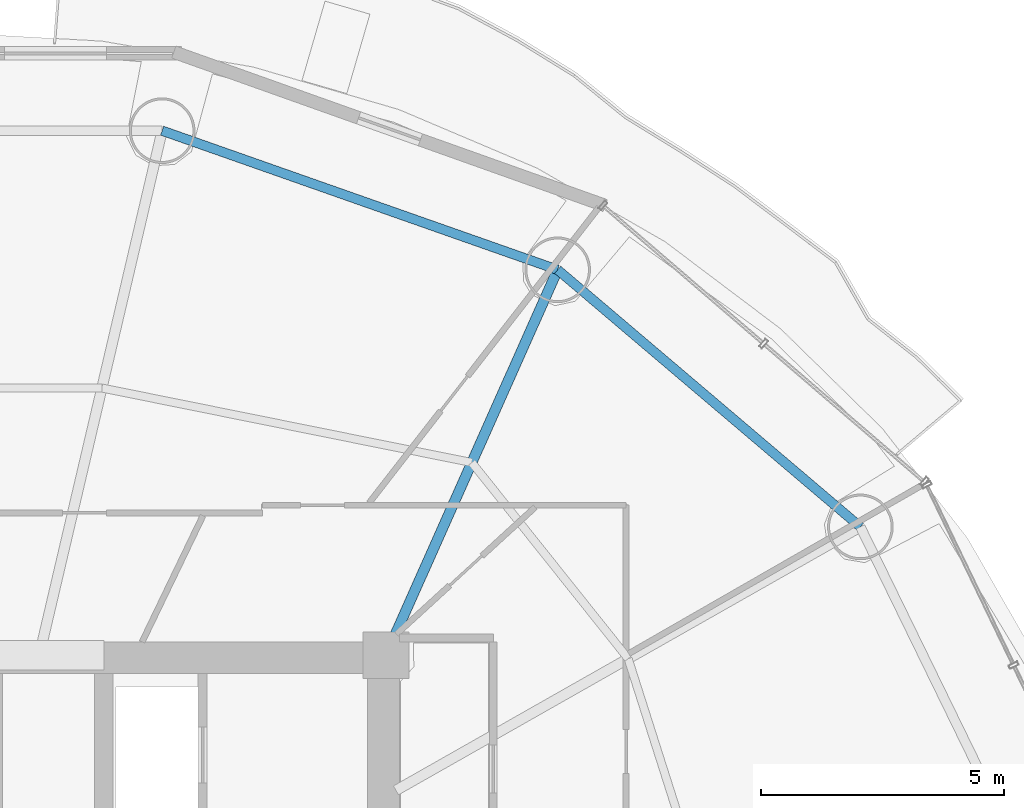
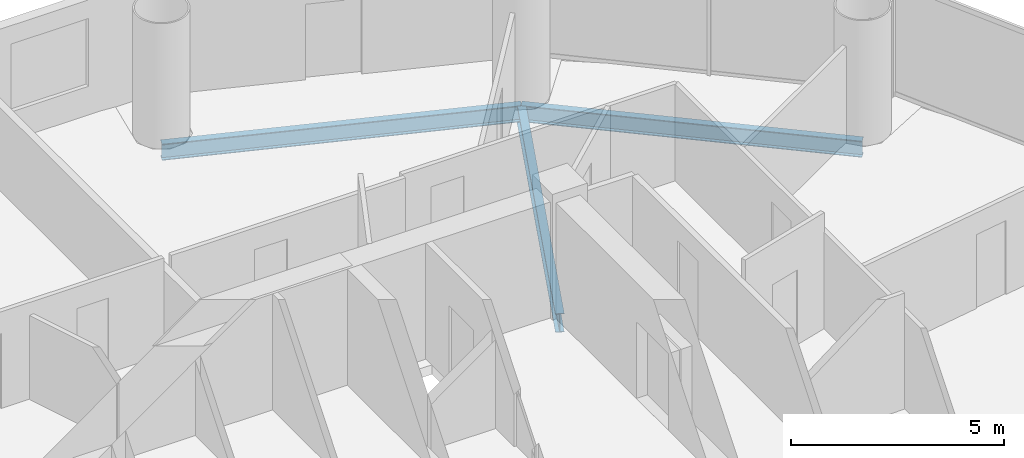
# One storey, part 18 of 27: 3 beams.
"""IFC4 building model written with IfcOpenShell, lengths in metres."""

import ifcopenshell
import ifcopenshell.guid

model = None  # the IFC model being written
_history = None  # IfcOwnerHistory: only IFC2X3 demands one
_inside = {}  # id of a spatial element -> (the spatial element, [elements in it])
_under = {}  # id of a project, library or spatial element -> (it, [spatial elements below it])
_declared = {}  # id of a project -> (the project, [libraries it declares])
_typed = {}  # id of a type object -> (the type object, [elements of that type])
_made_of = {}  # id of a material, layer set ... -> (it, [elements and type objects made of it])


def new_model(schema):
    """Start an empty IFC model of exactly this schema.

    Asked for "IFC4X3", IfcOpenShell would pick the latest addendum, in which some entities
    have other attributes; the version numbers below select the first issue.
    IFC2X3 requires an IfcOwnerHistory on every rooted entity: one is made here for all.
    """
    global model, _history
    if schema == "IFC4X3":
        model = ifcopenshell.file(schema_version=(4, 3, 0, 0))
    else:
        model = ifcopenshell.file(schema=schema)
    _inside.clear()
    _under.clear()
    _declared.clear()
    _typed.clear()
    _made_of.clear()
    _history = None
    if model.schema == "IFC2X3":
        org = make("IfcOrganization", Name="unknown")
        user = make(
            "IfcPersonAndOrganization",
            ThePerson=make("IfcPerson", FamilyName="unknown"),
            TheOrganization=org,
        )
        app = make(
            "IfcApplication",
            ApplicationDeveloper=org,
            Version="unknown",
            ApplicationFullName="unknown",
            ApplicationIdentifier="unknown",
        )
        _history = make(
            "IfcOwnerHistory",
            OwningUser=user,
            OwningApplication=app,
            ChangeAction="ADDED",
            CreationDate=0,
        )
    return model


def make(cls, **values):
    """One entity of the class cls with the attributes given. An attribute that is None is left unset."""
    return model.create_entity(
        cls, **{name: value for name, value in values.items() if value is not None}
    )


def rooted(cls, **values):
    """An entity with a GlobalId (a new one), such as an element, a storey or a relation."""
    return make(cls, GlobalId=ifcopenshell.guid.new(), OwnerHistory=_history, **values)


def si_unit(unit_type, name, prefix=None):
    """IfcSIUnit, for example si_unit("LENGTHUNIT", "METRE", prefix="MILLI")."""
    return make("IfcSIUnit", UnitType=unit_type, Prefix=prefix, Name=name)


def assignment(units):
    """IfcUnitAssignment: the units of a project."""
    return None if units is None else make("IfcUnitAssignment", Units=units)


def point(xyz):
    """IfcCartesianPoint."""
    return None if xyz is None else make("IfcCartesianPoint", Coordinates=xyz)


def direction(xyz):
    """IfcDirection."""
    return None if xyz is None else make("IfcDirection", DirectionRatios=xyz)


def frame(location, z_axis=None, x_axis=None):
    """IfcAxis2Placement3D, a coordinate frame: its origin and axes. An axis left out is left unset."""
    return make(
        "IfcAxis2Placement3D",
        Location=point(location),
        Axis=direction(z_axis),
        RefDirection=direction(x_axis),
    )


def frame_2d(location, x_axis=None):
    """IfcAxis2Placement2D, a coordinate frame in the plane: its origin and x axis."""
    return make(
        "IfcAxis2Placement2D", Location=point(location), RefDirection=direction(x_axis)
    )


def origin():
    """The frame at (0, 0, 0) with its axes left unset."""
    return frame((0.0, 0.0, 0.0))


def origin_2d():
    """The frame at (0, 0) in the plane with its x axis left unset."""
    return frame_2d((0.0, 0.0))


def place(relative_to, where):
    """IfcLocalPlacement: puts the frame where relative to a parent placement (None: the world)."""
    return make(
        "IfcLocalPlacement", PlacementRelTo=relative_to, RelativePlacement=where
    )


def context(
    kind, dimensions, precision=None, world=None, true_north=None, identifier=None
):
    """IfcGeometricRepresentationContext, for example the 3D "Model" context."""
    return make(
        "IfcGeometricRepresentationContext",
        ContextIdentifier=identifier,
        ContextType=kind,
        CoordinateSpaceDimension=dimensions,
        Precision=precision,
        WorldCoordinateSystem=world,
        TrueNorth=true_north,
    )


def subcontext(parent, identifier, kind, view, scale=None):
    """IfcGeometricRepresentationSubContext, for example "Body" below "Model"."""
    return make(
        "IfcGeometricRepresentationSubContext",
        ContextIdentifier=identifier,
        ContextType=kind,
        ParentContext=parent,
        TargetScale=scale,
        TargetView=view,
    )


def project(units=None, contexts=None):
    """IfcProject with its units and contexts."""
    return rooted(
        "IfcProject",
        Name="project",
        RepresentationContexts=contexts,
        UnitsInContext=assignment(units),
    )


def spatial(cls, under=None, at=None, **own):
    """A site, building, storey or space (cls), placed at a placement, below another one or the project."""
    s = rooted(cls, ObjectPlacement=at, **own)
    if under is not None:
        _under.setdefault(under.id(), (under, []))[1].append(s)
    return s


def profile(cls, at=None, kind="AREA", **sizes):
    """A parametric profile (cls). Its sizes go by their IFC names, for example OverallWidth=200.0."""
    return make(cls, ProfileType=kind, Position=at, **sizes)


def i_section(**sizes):
    """IfcIShapeProfileDef."""
    return profile("IfcIShapeProfileDef", **sizes)


def extrude(swept, where, along, depth):
    """IfcExtrudedAreaSolid: the profile swept, set in the frame where, extruded along a direction by depth."""
    return make(
        "IfcExtrudedAreaSolid",
        SweptArea=swept,
        Position=where,
        ExtrudedDirection=direction(along),
        Depth=depth,
    )


def shape(context_of_items, identifier, shape_type, items):
    """IfcShapeRepresentation: the items that make up one representation, for example the "Body"."""
    return make(
        "IfcShapeRepresentation",
        ContextOfItems=context_of_items,
        RepresentationIdentifier=identifier,
        RepresentationType=shape_type,
        Items=items,
    )


def material(Name=None, Category=None):
    """IfcMaterial."""
    return make("IfcMaterial", Name=Name, Category=Category)


def material_profile(
    of_material, cross_section, Name=None, Category=None, Priority=None
):
    """IfcMaterialProfile: a cross section and its material."""
    return make(
        "IfcMaterialProfile",
        Name=Name,
        Material=of_material,
        Profile=cross_section,
        Priority=Priority,
        Category=Category,
    )


def profile_set(profiles, Name=None, composite=None):
    """IfcMaterialProfileSet."""
    return make(
        "IfcMaterialProfileSet",
        Name=Name,
        MaterialProfiles=profiles,
        CompositeProfile=composite,
    )


def made_of(thing, what):
    """Note that an element or type object is made of a material, layer set ...; save() writes the relation."""
    if what is not None:
        _made_of.setdefault(what.id(), (what, []))[1].append(thing)
    return thing


def type_object(cls, material=None, **own):
    """A type object (cls), such as IfcWallType, which elements share."""
    return made_of(rooted(cls, **own), material)


def element(
    cls,
    number,
    at=None,
    inside=None,
    cuts=None,
    type_object=None,
    material=None,
    context=None,
    identifier="Body",
    shape_type=None,
    held_by="IfcProductDefinitionShape",
    body=None,
    shapes=None,
    **own,
):
    """One element of the class cls, such as IfcWall. Its Tag is "e" and its number.

    at: its placement. inside: the storey or other place that contains it. cuts: it is an
    opening in that element (IfcRelVoidsElement). A single representation is given by context,
    identifier, shape_type and body (its items); several are given by shapes. held_by: the class
    of the entity that holds the representations. save() writes the other relations.
    """
    e = rooted(cls, Tag="e%d" % number, ObjectPlacement=at, **own)
    if body is not None:
        shapes = [shape(context, identifier, shape_type, body)]
    if shapes is not None:
        e.Representation = make(held_by, Representations=shapes)
    if inside is not None:
        _inside.setdefault(inside.id(), (inside, []))[1].append(e)
    if cuts is not None:
        rooted(
            "IfcRelVoidsElement", RelatingBuildingElement=cuts, RelatedOpeningElement=e
        )
    if type_object is not None:
        _typed.setdefault(type_object.id(), (type_object, []))[1].append(e)
    return made_of(e, material)


def aggregate(whole, parts):
    """IfcRelAggregates: a whole, such as a stair, and the parts it consists of."""
    return rooted("IfcRelAggregates", RelatingObject=whole, RelatedObjects=parts)


def save(model, path):
    """Write the relations noted so far, then the file.

    IfcRelAggregates (storeys below a building ...), IfcRelContainedInSpatialStructure (elements
    in a storey), IfcRelDefinesByType, IfcRelAssociatesMaterial and IfcRelDeclares: one each for
    every whole, place, type object, material and project.
    """
    for whole, parts in _under.values():
        aggregate(whole, parts)
    for where, things in _inside.values():
        rooted(
            "IfcRelContainedInSpatialStructure",
            RelatedElements=things,
            RelatingStructure=where,
        )
    for kind, things in _typed.values():
        rooted("IfcRelDefinesByType", RelatedObjects=things, RelatingType=kind)
    for what, things in _made_of.values():
        rooted("IfcRelAssociatesMaterial", RelatedObjects=things, RelatingMaterial=what)
    for by, libraries in _declared.values():
        rooted("IfcRelDeclares", RelatingContext=by, RelatedDefinitions=libraries)
    model.write(path)


model = new_model("IFC4")

# Units and contexts
model_context = context("Model", 3, precision=1e-05, world=origin(), true_north=direction((-0.2419218956, 0.970295726276)))
body_context = subcontext(model_context, "Body", "Model", "MODEL_VIEW")
ifc_project = project(units=[si_unit("LENGTHUNIT", "METRE"), si_unit("AREAUNIT", "SQUARE_METRE"), si_unit("VOLUMEUNIT", "CUBIC_METRE"), si_unit("PLANEANGLEUNIT", "RADIAN"), si_unit("MASSUNIT", "GRAM", prefix="KILO")], contexts=[model_context])

# Site, building, storey
site_placement = place(None, origin())
site = spatial("IfcSite", under=ifc_project, at=site_placement, CompositionType="ELEMENT")
building_placement = place(site_placement, origin())
building = spatial("IfcBuilding", under=site, at=building_placement, Name="Cobrevalo Terracotta Tower", CompositionType="ELEMENT")
storey_placement = place(building_placement, frame((0.0, 0.0, 146.199951171875)))
storey = spatial("IfcBuildingStorey", under=building, at=storey_placement, Name="L38", CompositionType="ELEMENT", Elevation=146.199951171875)

# Beams
ifc_material = material(Name="Steel S355", Category="steel")
ifc_material_profile_1 = material_profile(ifc_material, i_section(OverallWidth=0.2109375, OverallDepth=0.5390625, WebThickness=0.01171875, FlangeThickness=0.018798828125, at=origin_2d()), Name="W 530x109")
ifc_profile_set_1 = profile_set([ifc_material_profile_1], Name="Steel S355")
beam_type_1 = type_object("IfcBeamType", Name="Structural Beam W 530x109 (Steel S355)", PredefinedType="BEAM", material=ifc_profile_set_1)
beam_1_placement = place(storey_placement, frame((50.528076171875, 42.72265625, -0.53955078125), z_axis=(-0.406804395691, -0.913515289224, 0.0), x_axis=(0.913515289224, -0.406804395691, 0.0)))
element("IfcBeam", 1, at=beam_1_placement, inside=storey, type_object=beam_type_1, Name="L38 radial floor girder 03", PredefinedType="BEAM", context=body_context, shape_type="SweptSolid", body=[
    extrude(i_section(OverallWidth=0.2109375, OverallDepth=0.5390625, WebThickness=0.01171875, FlangeThickness=0.018798828125, at=origin_2d()), origin(), (0.0, 0.0, 1.0), 8.672607421875),
])
ifc_material_profile_2 = material_profile(ifc_material, i_section(OverallWidth=0.194091796875, OverallDepth=0.468994140625, WebThickness=0.011474609375, FlangeThickness=0.0205078125, at=origin_2d()), Name="W 460x106")
ifc_profile_set_2 = profile_set([ifc_material_profile_2], Name="Steel S355")
beam_type_2 = type_object("IfcBeamType", Name="Structural Spandrel W 460x106 (Steel S355)", PredefinedType="SPANDREL", material=ifc_profile_set_2)
beam_2_placement = place(storey_placement, frame((56.749755859375, 37.439208984375, -0.50439453125), z_axis=(-0.762240337798, 0.647294112003, 0.0), x_axis=(-0.647294112003, -0.762240337798, 0.0)))
element("IfcBeam", 2, at=beam_2_placement, inside=storey, type_object=beam_type_2, Name="L38 perimeter ring spandrel 02", PredefinedType="SPANDREL", context=body_context, shape_type="SweptSolid", body=[
    extrude(i_section(OverallWidth=0.194091796875, OverallDepth=0.468994140625, WebThickness=0.011474609375, FlangeThickness=0.0205078125, at=origin_2d()), origin(), (0.0, 0.0, 1.0), 8.162353515625),
])
beam_3_placement = place(storey_placement, frame((50.528076171875, 42.72265625, -0.50439453125), z_axis=(-0.943341298492, 0.331824041565, 0.0), x_axis=(-0.331824041565, -0.943341298492, 0.0)))
element("IfcBeam", 3, at=beam_3_placement, inside=storey, type_object=beam_type_2, Name="L38 perimeter ring spandrel 03", PredefinedType="SPANDREL", context=body_context, shape_type="SweptSolid", body=[
    extrude(i_section(OverallWidth=0.194091796875, OverallDepth=0.468994140625, WebThickness=0.011474609375, FlangeThickness=0.0205078125, at=origin_2d()), origin(), (0.0, 0.0, 1.0), 8.6171875),
])

save(model, "model.ifc")
